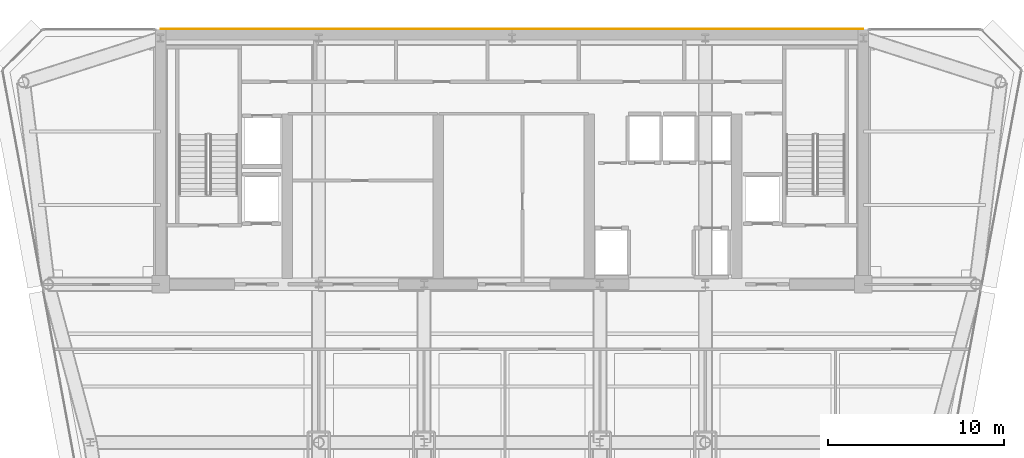
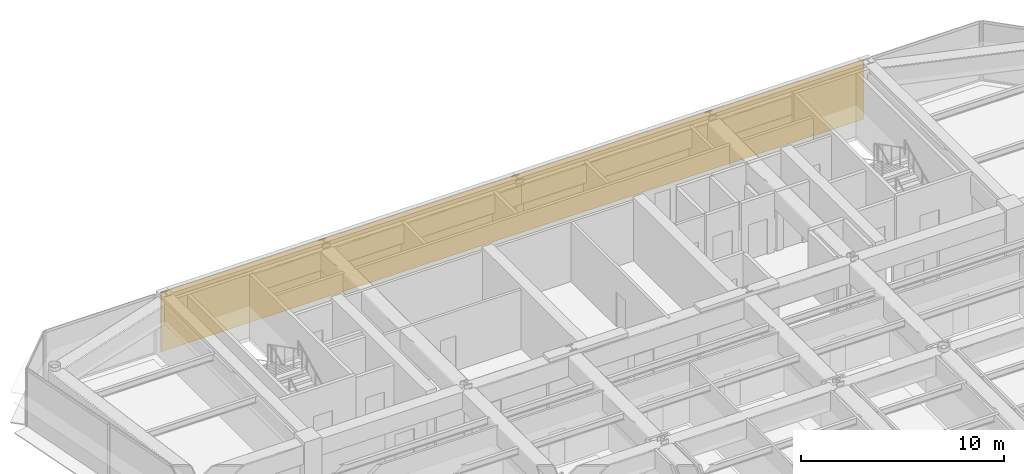
# One storey, part 16 of 17: 1 covering.
"""IFC4 building model written with IfcOpenShell, lengths in metres."""

from ifc_helpers import new_model, si_unit, direction, frame, origin, place, context, subcontext, project, spatial, polyline, outline, extrude, material, layer, layer_set, type_object, element, save


model = new_model("IFC4")

# Units and contexts
model_context = context("Model", 3, precision=1e-05, world=origin(), true_north=direction((0.0, 1.0)))
body_context = subcontext(model_context, "Body", "Model", "MODEL_VIEW")
ifc_project = project(units=[si_unit("LENGTHUNIT", "METRE"), si_unit("AREAUNIT", "SQUARE_METRE"), si_unit("VOLUMEUNIT", "CUBIC_METRE"), si_unit("PLANEANGLEUNIT", "RADIAN"), si_unit("MASSUNIT", "GRAM", prefix="KILO")], contexts=[model_context])

# Site, building, storey
site_placement = place(None, origin())
site = spatial("IfcSite", under=ifc_project, at=site_placement, CompositionType="ELEMENT")
building_placement = place(site_placement, origin())
building = spatial("IfcBuilding", under=site, at=building_placement, Name="Vaeldorn Concourse Tower", CompositionType="ELEMENT")
storey_placement = place(building_placement, frame((0.0, 0.0, 234.60009765625)))
storey = spatial("IfcBuildingStorey", under=building, at=storey_placement, Name="L60", CompositionType="ELEMENT", Elevation=234.60009765625)

# Covering
ifc_material = material(Name="Anodised Bronze Aluminium", Category="aluminium")
ifc_layer = layer(ifc_material, 0.050048828125)
ifc_layer_set = layer_set([ifc_layer], Name="Anodised Bronze Aluminium")
covering_type = type_object("IfcCoveringType", Name="COV-CLAD-BRONZE", PredefinedType="CLADDING", material=ifc_layer_set)
covering_placement = place(storey_placement, origin())
element("IfcCovering", 1, at=covering_placement, inside=storey, type_object=covering_type, Name="Rear Core Bronze Spandrel Cladding L60", PredefinedType="CLADDING", context=body_context, shape_type="SweptSolid", body=[
    extrude(outline(polyline([(14.0, 51.0), (54.0, 51.0), (54.0, 51.050048828125), (14.0, 51.050048828125), (14.0, 51.0)])), origin(), (0.0, 0.0, 1.0), 3.579833984375),
])

save(model, "model.ifc")
